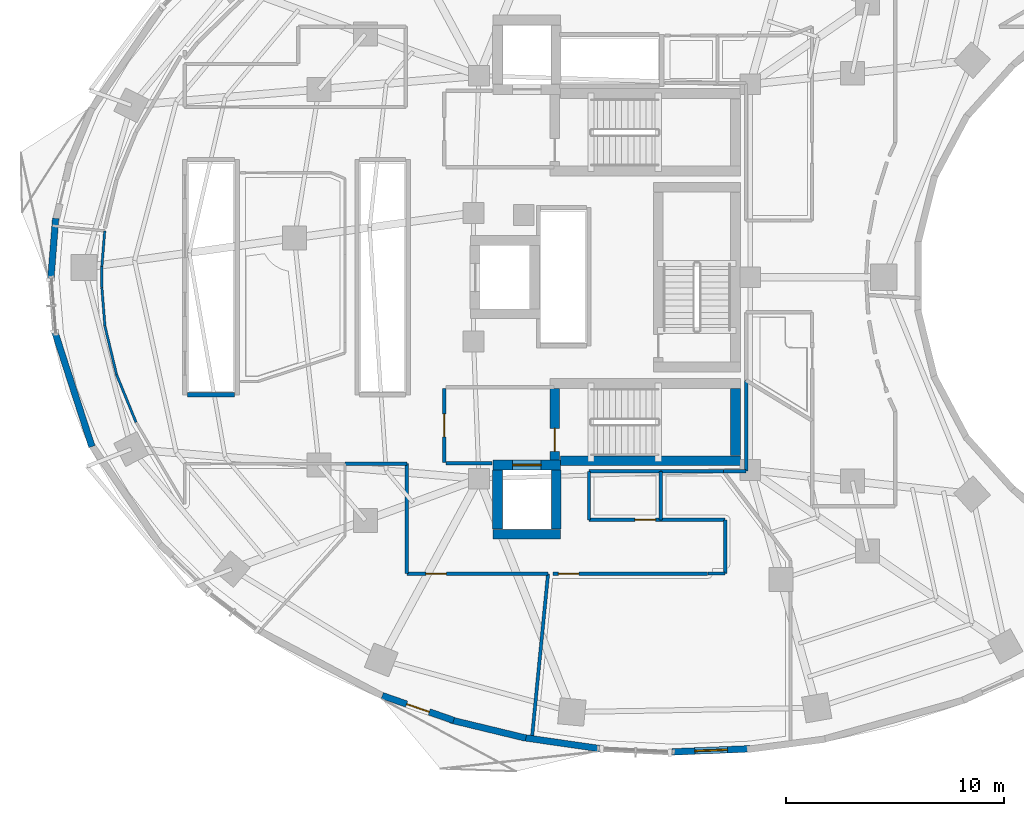
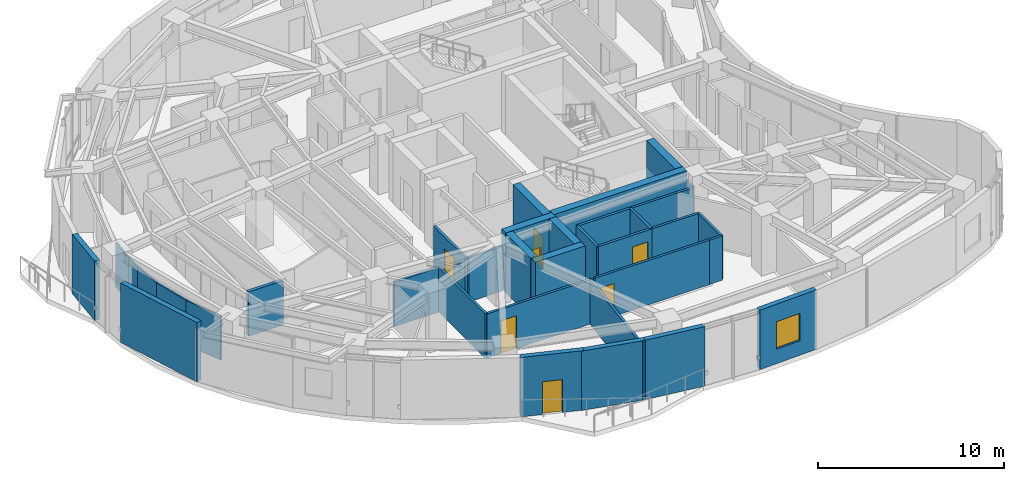
# One storey, part 8 of 15: 36 walls, 7 doors, 1 window, 8 openings.
"""IFC4 building model written with IfcOpenShell, lengths in metres."""

import ifcopenshell
import ifcopenshell.guid

model = None  # the IFC model being written
_history = None  # IfcOwnerHistory: only IFC2X3 demands one
_inside = {}  # id of a spatial element -> (the spatial element, [elements in it])
_under = {}  # id of a project, library or spatial element -> (it, [spatial elements below it])
_declared = {}  # id of a project -> (the project, [libraries it declares])
_typed = {}  # id of a type object -> (the type object, [elements of that type])
_made_of = {}  # id of a material, layer set ... -> (it, [elements and type objects made of it])


def new_model(schema):
    """Start an empty IFC model of exactly this schema.

    Asked for "IFC4X3", IfcOpenShell would pick the latest addendum, in which some entities
    have other attributes; the version numbers below select the first issue.
    IFC2X3 requires an IfcOwnerHistory on every rooted entity: one is made here for all.
    """
    global model, _history
    if schema == "IFC4X3":
        model = ifcopenshell.file(schema_version=(4, 3, 0, 0))
    else:
        model = ifcopenshell.file(schema=schema)
    _inside.clear()
    _under.clear()
    _declared.clear()
    _typed.clear()
    _made_of.clear()
    _history = None
    if model.schema == "IFC2X3":
        org = make("IfcOrganization", Name="unknown")
        user = make(
            "IfcPersonAndOrganization",
            ThePerson=make("IfcPerson", FamilyName="unknown"),
            TheOrganization=org,
        )
        app = make(
            "IfcApplication",
            ApplicationDeveloper=org,
            Version="unknown",
            ApplicationFullName="unknown",
            ApplicationIdentifier="unknown",
        )
        _history = make(
            "IfcOwnerHistory",
            OwningUser=user,
            OwningApplication=app,
            ChangeAction="ADDED",
            CreationDate=0,
        )
    return model


def make(cls, **values):
    """One entity of the class cls with the attributes given. An attribute that is None is left unset."""
    return model.create_entity(
        cls, **{name: value for name, value in values.items() if value is not None}
    )


def rooted(cls, **values):
    """An entity with a GlobalId (a new one), such as an element, a storey or a relation."""
    return make(cls, GlobalId=ifcopenshell.guid.new(), OwnerHistory=_history, **values)


def si_unit(unit_type, name, prefix=None):
    """IfcSIUnit, for example si_unit("LENGTHUNIT", "METRE", prefix="MILLI")."""
    return make("IfcSIUnit", UnitType=unit_type, Prefix=prefix, Name=name)


def assignment(units):
    """IfcUnitAssignment: the units of a project."""
    return None if units is None else make("IfcUnitAssignment", Units=units)


def point(xyz):
    """IfcCartesianPoint."""
    return None if xyz is None else make("IfcCartesianPoint", Coordinates=xyz)


def direction(xyz):
    """IfcDirection."""
    return None if xyz is None else make("IfcDirection", DirectionRatios=xyz)


def frame(location, z_axis=None, x_axis=None):
    """IfcAxis2Placement3D, a coordinate frame: its origin and axes. An axis left out is left unset."""
    return make(
        "IfcAxis2Placement3D",
        Location=point(location),
        Axis=direction(z_axis),
        RefDirection=direction(x_axis),
    )


def frame_2d(location, x_axis=None):
    """IfcAxis2Placement2D, a coordinate frame in the plane: its origin and x axis."""
    return make(
        "IfcAxis2Placement2D", Location=point(location), RefDirection=direction(x_axis)
    )


def origin():
    """The frame at (0, 0, 0) with its axes left unset."""
    return frame((0.0, 0.0, 0.0))


def place(relative_to, where):
    """IfcLocalPlacement: puts the frame where relative to a parent placement (None: the world)."""
    return make(
        "IfcLocalPlacement", PlacementRelTo=relative_to, RelativePlacement=where
    )


def context(
    kind, dimensions, precision=None, world=None, true_north=None, identifier=None
):
    """IfcGeometricRepresentationContext, for example the 3D "Model" context."""
    return make(
        "IfcGeometricRepresentationContext",
        ContextIdentifier=identifier,
        ContextType=kind,
        CoordinateSpaceDimension=dimensions,
        Precision=precision,
        WorldCoordinateSystem=world,
        TrueNorth=true_north,
    )


def subcontext(parent, identifier, kind, view, scale=None):
    """IfcGeometricRepresentationSubContext, for example "Body" below "Model"."""
    return make(
        "IfcGeometricRepresentationSubContext",
        ContextIdentifier=identifier,
        ContextType=kind,
        ParentContext=parent,
        TargetScale=scale,
        TargetView=view,
    )


def project(units=None, contexts=None):
    """IfcProject with its units and contexts."""
    return rooted(
        "IfcProject",
        Name="project",
        RepresentationContexts=contexts,
        UnitsInContext=assignment(units),
    )


def spatial(cls, under=None, at=None, **own):
    """A site, building, storey or space (cls), placed at a placement, below another one or the project."""
    s = rooted(cls, ObjectPlacement=at, **own)
    if under is not None:
        _under.setdefault(under.id(), (under, []))[1].append(s)
    return s


def profile(cls, at=None, kind="AREA", **sizes):
    """A parametric profile (cls). Its sizes go by their IFC names, for example OverallWidth=200.0."""
    return make(cls, ProfileType=kind, Position=at, **sizes)


def rectangle(**sizes):
    """IfcRectangleProfileDef."""
    return profile("IfcRectangleProfileDef", **sizes)


def extrude(swept, where, along, depth):
    """IfcExtrudedAreaSolid: the profile swept, set in the frame where, extruded along a direction by depth."""
    return make(
        "IfcExtrudedAreaSolid",
        SweptArea=swept,
        Position=where,
        ExtrudedDirection=direction(along),
        Depth=depth,
    )


def shape(context_of_items, identifier, shape_type, items):
    """IfcShapeRepresentation: the items that make up one representation, for example the "Body"."""
    return make(
        "IfcShapeRepresentation",
        ContextOfItems=context_of_items,
        RepresentationIdentifier=identifier,
        RepresentationType=shape_type,
        Items=items,
    )


def material(Name=None, Category=None):
    """IfcMaterial."""
    return make("IfcMaterial", Name=Name, Category=Category)


def layer(
    of_material, thickness, ventilated=None, Name=None, Category=None, Priority=None
):
    """IfcMaterialLayer: one layer of a wall or slab, of a material (None: an air gap)."""
    return make(
        "IfcMaterialLayer",
        Material=of_material,
        LayerThickness=thickness,
        IsVentilated=ventilated,
        Name=Name,
        Category=Category,
        Priority=Priority,
    )


def layer_set(layers, Name=None):
    """IfcMaterialLayerSet."""
    return make("IfcMaterialLayerSet", MaterialLayers=layers, LayerSetName=Name)


def made_of(thing, what):
    """Note that an element or type object is made of a material, layer set ...; save() writes the relation."""
    if what is not None:
        _made_of.setdefault(what.id(), (what, []))[1].append(thing)
    return thing


def type_object(cls, material=None, **own):
    """A type object (cls), such as IfcWallType, which elements share."""
    return made_of(rooted(cls, **own), material)


def element(
    cls,
    number,
    at=None,
    inside=None,
    cuts=None,
    type_object=None,
    material=None,
    context=None,
    identifier="Body",
    shape_type=None,
    held_by="IfcProductDefinitionShape",
    body=None,
    shapes=None,
    **own,
):
    """One element of the class cls, such as IfcWall. Its Tag is "e" and its number.

    at: its placement. inside: the storey or other place that contains it. cuts: it is an
    opening in that element (IfcRelVoidsElement). A single representation is given by context,
    identifier, shape_type and body (its items); several are given by shapes. held_by: the class
    of the entity that holds the representations. save() writes the other relations.
    """
    e = rooted(cls, Tag="e%d" % number, ObjectPlacement=at, **own)
    if body is not None:
        shapes = [shape(context, identifier, shape_type, body)]
    if shapes is not None:
        e.Representation = make(held_by, Representations=shapes)
    if inside is not None:
        _inside.setdefault(inside.id(), (inside, []))[1].append(e)
    if cuts is not None:
        rooted(
            "IfcRelVoidsElement", RelatingBuildingElement=cuts, RelatedOpeningElement=e
        )
    if type_object is not None:
        _typed.setdefault(type_object.id(), (type_object, []))[1].append(e)
    return made_of(e, material)


def fill(opening, filler):
    """IfcRelFillsElement: the door or window that sits in an opening."""
    return rooted(
        "IfcRelFillsElement",
        RelatingOpeningElement=opening,
        RelatedBuildingElement=filler,
    )


def aggregate(whole, parts):
    """IfcRelAggregates: a whole, such as a stair, and the parts it consists of."""
    return rooted("IfcRelAggregates", RelatingObject=whole, RelatedObjects=parts)


def save(model, path):
    """Write the relations noted so far, then the file.

    IfcRelAggregates (storeys below a building ...), IfcRelContainedInSpatialStructure (elements
    in a storey), IfcRelDefinesByType, IfcRelAssociatesMaterial and IfcRelDeclares: one each for
    every whole, place, type object, material and project.
    """
    for whole, parts in _under.values():
        aggregate(whole, parts)
    for where, things in _inside.values():
        rooted(
            "IfcRelContainedInSpatialStructure",
            RelatedElements=things,
            RelatingStructure=where,
        )
    for kind, things in _typed.values():
        rooted("IfcRelDefinesByType", RelatedObjects=things, RelatingType=kind)
    for what, things in _made_of.values():
        rooted("IfcRelAssociatesMaterial", RelatedObjects=things, RelatingMaterial=what)
    for by, libraries in _declared.values():
        rooted("IfcRelDeclares", RelatingContext=by, RelatedDefinitions=libraries)
    model.write(path)


model = new_model("IFC4")

# Units and contexts
model_context = context("Model", 3, precision=1e-05, world=origin(), true_north=direction((0.0, 1.0)))
body_context = subcontext(model_context, "Body", "Model", "MODEL_VIEW")
ifc_project = project(units=[si_unit("LENGTHUNIT", "METRE"), si_unit("AREAUNIT", "SQUARE_METRE"), si_unit("VOLUMEUNIT", "CUBIC_METRE"), si_unit("PLANEANGLEUNIT", "RADIAN"), si_unit("MASSUNIT", "GRAM", prefix="KILO")], contexts=[model_context])

# Site, building, storey
site_placement = place(None, origin())
site = spatial("IfcSite", under=ifc_project, at=site_placement, CompositionType="ELEMENT")
building_placement = place(site_placement, origin())
building = spatial("IfcBuilding", under=site, at=building_placement, Name="Korentha Bioscience Tower", CompositionType="ELEMENT")
storey_placement = place(building_placement, frame((0.0, 0.0, 94.199951171875)))
storey = spatial("IfcBuildingStorey", under=building, at=storey_placement, Name="L21", CompositionType="ELEMENT", Elevation=94.199951171875)

# Wall, opening, door
ifc_material_1 = material(Name="Double-Stud Acoustic Gypsum", Category="gypsum")
ifc_layer_1 = layer(ifc_material_1, 0.14990234375, Name="Double-Stud Acoustic Gypsum")
ifc_layer_set_1 = layer_set([ifc_layer_1], Name="Double-Stud Acoustic Gypsum (IW-L150)")
wall_type_1 = type_object("IfcWallType", Name="Acoustic Laboratory Partition Wall 150", PredefinedType="PARTITIONING", material=ifc_layer_set_1)
wall_1_placement = place(storey_placement, frame((21.800048828125, 13.389892578125, 0.0), z_axis=(0.0, 0.0, 1.0), x_axis=(1.0, 0.0, 0.0)))
wall_1 = element("IfcWall", 1, at=wall_1_placement, inside=storey, type_object=wall_type_1, Name="L21 Research Colloquium Seminar Room 02 Entrance Wall", PredefinedType="PARTITIONING", context=body_context, shape_type="SweptSolid", body=[
    extrude(rectangle(XDim=6.47119140625, YDim=0.14990234375, at=frame_2d((3.235595703125, 0.0))), origin(), (0.0, 0.0, 1.0), 2.91015625),
])
opening_1_placement = place(wall_1_placement, frame((0.85888671875, 0.0, 0.0)))
opening_1 = element("IfcOpeningElement", 2, at=opening_1_placement, cuts=wall_1, Name="Opening ID-10R", PredefinedType="OPENING", context=body_context, shape_type="SweptSolid", body=[
    extrude(rectangle(XDim=0.949951171875, YDim=2.14990234375, at=frame_2d((0.47509765625, 1.074951171875))), frame((0.0, 0.08984375, 0.0), z_axis=(0.0, -1.0, 0.0), x_axis=(1.0, 0.0, 0.0)), (0.0, 0.0, 1.0), 0.1796875),
])
ifc_material_2 = material(Name="Phenolic Laminate Timber Core", Category="wood")
door_type_1 = type_object("IfcDoorType", Name="Laboratory Single Leaf Door 950x2150 Right", OperationType="SINGLE_SWING_RIGHT", PredefinedType="DOOR", material=ifc_material_2)
door_1_placement = place(opening_1_placement, origin())
door_1 = element("IfcDoor", 3, at=door_1_placement, inside=storey, type_object=door_type_1, Name="L21 Research Colloquium Seminar Room 02 Door", OperationType="SINGLE_SWING_RIGHT", OverallHeight=2.14990234375, OverallWidth=0.949951171875, PredefinedType="DOOR", context=body_context, shape_type="SweptSolid", body=[
    extrude(rectangle(XDim=0.949951171875, YDim=2.14990234375, at=frame_2d((0.47509765625, 1.074951171875))), frame((0.0, 0.02490234375, 0.0), z_axis=(0.0, -1.0, 0.0), x_axis=(1.0, 0.0, 0.0)), (0.0, 0.0, 1.0), 0.050048828125),
])
fill(opening_1, door_1)

wall_2_placement = place(storey_placement, frame((28.5, 13.389892578125, 0.0), z_axis=(0.0, 0.0, 1.0), x_axis=(1.0, 0.0, 0.0)))
wall_2 = element("IfcWall", 4, at=wall_2_placement, inside=storey, type_object=wall_type_1, Name="L21 Staff Pantry Kitchenette 03 Entrance Wall", PredefinedType="PARTITIONING", context=body_context, shape_type="SweptSolid", body=[
    extrude(rectangle(XDim=7.10009765625, YDim=0.14990234375, at=frame_2d((3.550048828125, 0.0))), origin(), (0.0, 0.0, 1.0), 2.91015625),
])
opening_2_placement = place(wall_2_placement, frame((0.239990234375, 0.0, 0.0)))
opening_2 = element("IfcOpeningElement", 5, at=opening_2_placement, cuts=wall_2, Name="Opening ID-10L", PredefinedType="OPENING", context=body_context, shape_type="SweptSolid", body=[
    extrude(rectangle(XDim=0.949951171875, YDim=2.14990234375, at=frame_2d((0.47509765625, 1.074951171875))), frame((0.0, 0.08984375, 0.0), z_axis=(0.0, -1.0, 0.0), x_axis=(1.0, 0.0, 0.0)), (0.0, 0.0, 1.0), 0.1796875),
])
door_type_2 = type_object("IfcDoorType", Name="Laboratory Single Leaf Door 950x2150 Left", OperationType="SINGLE_SWING_LEFT", PredefinedType="DOOR", material=ifc_material_2)
door_2_placement = place(opening_2_placement, origin())
door_2 = element("IfcDoor", 6, at=door_2_placement, inside=storey, type_object=door_type_2, Name="L21 Staff Pantry Kitchenette 03 Door", OperationType="SINGLE_SWING_LEFT", OverallHeight=2.14990234375, OverallWidth=0.949951171875, PredefinedType="DOOR", context=body_context, shape_type="SweptSolid", body=[
    extrude(rectangle(XDim=0.949951171875, YDim=2.14990234375, at=frame_2d((0.47509765625, 1.074951171875))), frame((0.0, 0.02490234375, 0.0), z_axis=(0.0, -1.0, 0.0), x_axis=(1.0, 0.0, 0.0)), (0.0, 0.0, 1.0), 0.050048828125),
])
fill(opening_2, door_2)

# Walls
wall_3_placement = place(storey_placement, frame((18.9580078125, 18.43994140625, 0.0), z_axis=(0.0, 0.0, 1.0), x_axis=(1.0, 0.0, 0.0)))
element("IfcWall", 7, at=wall_3_placement, inside=storey, type_object=wall_type_1, Name="L21 Interior Partition 029", PredefinedType="PARTITIONING", context=body_context, shape_type="SweptSolid", body=[
    extrude(rectangle(XDim=2.83203125, YDim=0.14990234375, at=frame_2d((1.416015625, 0.0))), origin(), (0.0, 0.0, 1.0), 2.91015625),
])
wall_4_placement = place(storey_placement, frame((21.7900390625, 18.43994140625, 0.0), z_axis=(0.0, 0.0, 1.0), x_axis=(0.0, -1.0, 0.0)))
element("IfcWall", 8, at=wall_4_placement, inside=storey, type_object=wall_type_1, Name="L21 Interior Partition 030", PredefinedType="PARTITIONING", context=body_context, shape_type="SweptSolid", body=[
    extrude(rectangle(XDim=5.0400390625, YDim=0.14990234375, at=frame_2d((2.52001953125, 0.0))), origin(), (0.0, 0.0, 1.0), 2.91015625),
])
wall_5_placement = place(storey_placement, frame((28.271240234375, 13.389892578125, 0.0), z_axis=(0.0, 0.0, 1.0), x_axis=(-0.097584908723, -0.995227202999, 0.0)))
element("IfcWall", 9, at=wall_5_placement, inside=storey, type_object=wall_type_1, Name="L21 Interior Partition 031", PredefinedType="PARTITIONING", context=body_context, shape_type="SweptSolid", body=[
    extrude(rectangle(XDim=7.735595703125, YDim=0.14990234375, at=frame_2d((3.86767578125, 0.0))), origin(), (0.0, 0.0, 1.0), 2.91015625),
])
wall_6_placement = place(storey_placement, frame((35.610107421875, 13.39990234375, 0.0), z_axis=(0.0, 0.0, 1.0), x_axis=(1.0, 0.0, 0.0)))
element("IfcWall", 10, at=wall_6_placement, inside=storey, type_object=wall_type_1, Name="L21 Interior Partition 033", PredefinedType="PARTITIONING", context=body_context, shape_type="SweptSolid", body=[
    extrude(rectangle(XDim=0.789794921875, YDim=0.14990234375, at=frame_2d((0.39501953125, 0.0))), origin(), (0.0, 0.0, 1.0), 2.91015625),
])
wall_7_placement = place(storey_placement, frame((36.39990234375, 13.39990234375, 0.0), z_axis=(0.0, 0.0, 1.0), x_axis=(0.004085258855, 0.999991655295, 0.0)))
element("IfcWall", 11, at=wall_7_placement, inside=storey, type_object=wall_type_1, Name="L21 Interior Partition 034", PredefinedType="PARTITIONING", context=body_context, shape_type="SweptSolid", body=[
    extrude(rectangle(XDim=2.4501953125, YDim=0.14990234375, at=frame_2d((1.22509765625, 0.0))), origin(), (0.0, 0.0, 1.0), 2.91015625),
])
wall_8_placement = place(storey_placement, frame((36.39990234375, 15.860107421875, 0.0), z_axis=(0.0, 0.0, 1.0), x_axis=(-1.0, 0.0, 0.0)))
element("IfcWall", 12, at=wall_8_placement, inside=storey, type_object=wall_type_1, Name="L21 Interior Partition 035", PredefinedType="PARTITIONING", context=body_context, shape_type="SweptSolid", body=[
    extrude(rectangle(XDim=2.93994140625, YDim=0.14990234375, at=frame_2d((1.469970703125, 0.0))), origin(), (0.0, 0.0, 1.0), 2.91015625),
])
wall_9_placement = place(storey_placement, frame((33.4599609375, 18.090087890625, 0.0), z_axis=(0.0, 0.0, 1.0), x_axis=(1.0, 0.0, 0.0)))
element("IfcWall", 13, at=wall_9_placement, inside=storey, type_object=wall_type_1, Name="L21 Interior Partition 036", PredefinedType="PARTITIONING", context=body_context, shape_type="SweptSolid", body=[
    extrude(rectangle(XDim=2.859375, YDim=0.14990234375, at=frame_2d((1.4296875, 0.0))), origin(), (0.0, 0.0, 1.0), 2.91015625),
])
ifc_material_3 = material(Name="Fire-Rated Framed Glass", Category="glass")
ifc_layer_2 = layer(ifc_material_3, 0.110107421875, Name="Fire-Rated Framed Glass")
ifc_layer_set_2 = layer_set([ifc_layer_2], Name="Fire-Rated Framed Glass (IW-G110)")
wall_type_2 = type_object("IfcWallType", Name="Demountable Glazed Office Partition 110", PredefinedType="MOVABLE", material=ifc_layer_set_2)
wall_10_placement = place(storey_placement, frame((7.920166015625, 29.12451171875, 0.0), z_axis=(0.0, 0.0, 1.0), x_axis=(-0.079067162534, -0.996869291236, 0.0)))
element("IfcWall", 14, at=wall_10_placement, inside=storey, type_object=wall_type_2, Name="L21 Interior Partition 020", PredefinedType="MOVABLE", context=body_context, shape_type="SweptSolid", body=[
    extrude(rectangle(XDim=1.645751953125, YDim=0.110107421875, at=frame_2d((0.82275390625, 0.0))), origin(), (0.0, 0.0, 1.0), 2.91015625),
])
wall_11_placement = place(storey_placement, frame((7.7900390625, 27.48291015625, 0.0), z_axis=(0.0, 0.0, 1.0), x_axis=(0.0, -1.0, 0.0)))
element("IfcWall", 15, at=wall_11_placement, inside=storey, type_object=wall_type_2, Name="L21 Interior Partition 021", PredefinedType="MOVABLE", context=body_context, shape_type="SweptSolid", body=[
    extrude(rectangle(XDim=0.9658203125, YDim=0.110107421875, at=frame_2d((0.48291015625, 0.0))), origin(), (0.0, 0.0, 1.0), 2.91015625),
])
wall_12_placement = place(storey_placement, frame((7.7900390625, 26.51611328125, 0.0), z_axis=(0.0, 0.0, 1.0), x_axis=(0.079131522864, -0.996864184375, 0.0)))
element("IfcWall", 16, at=wall_12_placement, inside=storey, type_object=wall_type_2, Name="L21 Interior Partition 022", PredefinedType="MOVABLE", context=body_context, shape_type="SweptSolid", body=[
    extrude(rectangle(XDim=1.77099609375, YDim=0.110107421875, at=frame_2d((0.885498046875, 0.0))), origin(), (0.0, 0.0, 1.0), 2.91015625),
])
wall_13_placement = place(storey_placement, frame((7.930419921875, 24.749267578125, 0.0), z_axis=(0.0, 0.0, 1.0), x_axis=(0.233675196412, -0.972314713754, 0.0)))
element("IfcWall", 17, at=wall_13_placement, inside=storey, type_object=wall_type_2, Name="L21 Interior Partition 023", PredefinedType="MOVABLE", context=body_context, shape_type="SweptSolid", body=[
    extrude(rectangle(XDim=2.291259765625, YDim=0.110107421875, at=frame_2d((1.1455078125, 0.0))), origin(), (0.0, 0.0, 1.0), 2.91015625),
])
wall_14_placement = place(storey_placement, frame((8.46630859375, 22.520263671875, 0.0), z_axis=(0.0, 0.0, 1.0), x_axis=(0.378306283753, -0.925680482495, 0.0)))
element("IfcWall", 18, at=wall_14_placement, inside=storey, type_object=wall_type_2, Name="L21 Interior Partition 024", PredefinedType="MOVABLE", context=body_context, shape_type="SweptSolid", body=[
    extrude(rectangle(XDim=2.358154296875, YDim=0.110107421875, at=frame_2d((1.17919921875, 0.0))), origin(), (0.0, 0.0, 1.0), 2.91015625),
])

# Wall, opening, door
ifc_material_4 = material(Name="Gypsum-Clad Steel Stud", Category="steel")
ifc_layer_3 = layer(ifc_material_4, 0.159912109375, Name="Gypsum-Clad Steel Stud")
ifc_layer_set_3 = layer_set([ifc_layer_3], Name="Gypsum-Clad Steel Stud (IW-C160)")
wall_type_3 = type_object("IfcWallType", Name="Fire-Rated Corridor Partition Wall 160", PredefinedType="PARTITIONING", material=ifc_layer_set_3)
wall_15_placement = place(storey_placement, frame((23.5, 18.5, 0.0), z_axis=(0.0, 0.0, 1.0), x_axis=(0.0, 1.0, 0.0)))
wall_15 = element("IfcWall", 19, at=wall_15_placement, inside=storey, type_object=wall_type_3, Name="L21 FFLS-CW Rated Enclosure Wall", PredefinedType="PARTITIONING", context=body_context, shape_type="SweptSolid", body=[
    extrude(rectangle(XDim=3.39990234375, YDim=0.159912109375, at=frame_2d((1.699951171875, 0.0))), origin(), (0.0, 0.0, 1.0), 2.91015625),
])
opening_3_placement = place(wall_15_placement, frame((1.175048828125, 0.0, 0.0)))
opening_3 = element("IfcOpeningElement", 20, at=opening_3_placement, cuts=wall_15, Name="Opening FD-90L", PredefinedType="OPENING", context=body_context, shape_type="SweptSolid", body=[
    extrude(rectangle(XDim=1.050048828125, YDim=2.14990234375, at=frame_2d((0.52490234375, 1.074951171875))), frame((0.0, 0.0947265625, 0.0), z_axis=(0.0, -1.0, 0.0), x_axis=(1.0, 0.0, 0.0)), (0.0, 0.0, 1.0), 0.189697265625),
])
ifc_material_5 = material(Name="Powder-Coated Fire-Rated Steel", Category="steel")
door_type_3 = type_object("IfcDoorType", Name="Stairwell Fire Exit Door 1050x2150 Left", OperationType="SINGLE_SWING_LEFT", PredefinedType="DOOR", material=ifc_material_5)
door_3_placement = place(opening_3_placement, origin())
door_3 = element("IfcDoor", 21, at=door_3_placement, inside=storey, type_object=door_type_3, Name="L21 South Firefighting Lobby Door", OperationType="SINGLE_SWING_LEFT", OverallHeight=2.14990234375, OverallWidth=1.050048828125, PredefinedType="DOOR", context=body_context, shape_type="SweptSolid", body=[
    extrude(rectangle(XDim=1.050048828125, YDim=2.14990234375, at=frame_2d((0.52490234375, 1.074951171875))), frame((0.0, 0.02490234375, 0.0), z_axis=(0.0, -1.0, 0.0), x_axis=(1.0, 0.0, 0.0)), (0.0, 0.0, 1.0), 0.050048828125),
])
fill(opening_3, door_3)

# Wall
wall_16_placement = place(storey_placement, frame((23.580078125, 18.449951171875, 0.0), z_axis=(0.0, 0.0, 1.0), x_axis=(1.0, 0.0, 0.0)))
element("IfcWall", 22, at=wall_16_placement, inside=storey, type_object=wall_type_3, Name="L21 Firefighting Lobby Return Wall FFLS-S", PredefinedType="PARTITIONING", context=body_context, shape_type="SweptSolid", body=[
    extrude(rectangle(XDim=2.119873046875, YDim=0.159912109375, at=frame_2d((1.06005859375, 0.0))), origin(), (0.0, 0.0, 1.0), 2.91015625),
])

# Wall, opening, door
wall_17_placement = place(storey_placement, frame((33.449951171875, 15.860107421875, 0.0), z_axis=(0.0, 0.0, 1.0), x_axis=(-1.0, 0.0, 0.0)))
wall_17 = element("IfcWall", 23, at=wall_17_placement, inside=storey, type_object=wall_type_3, Name="L21 Core Instrumentation and Gas Store Entrance Wall", PredefinedType="PARTITIONING", context=body_context, shape_type="SweptSolid", body=[
    extrude(rectangle(XDim=3.300048828125, YDim=0.159912109375, at=frame_2d((1.64990234375, 0.0))), origin(), (0.0, 0.0, 1.0), 2.91015625),
])
opening_4_placement = place(wall_17_placement, frame((0.239990234375, 0.0, 0.0)))
opening_4 = element("IfcOpeningElement", 24, at=opening_4_placement, cuts=wall_17, Name="Opening ID-10L", PredefinedType="OPENING", context=body_context, shape_type="SweptSolid", body=[
    extrude(rectangle(XDim=0.949951171875, YDim=2.14990234375, at=frame_2d((0.47509765625, 1.074951171875))), frame((0.0, 0.0947265625, 0.0), z_axis=(0.0, -1.0, 0.0), x_axis=(1.0, 0.0, 0.0)), (0.0, 0.0, 1.0), 0.189697265625),
])
door_4_placement = place(opening_4_placement, origin())
door_4 = element("IfcDoor", 25, at=door_4_placement, inside=storey, type_object=door_type_2, Name="L21 Core Instrumentation and Gas Store Door", OperationType="SINGLE_SWING_LEFT", OverallHeight=2.14990234375, OverallWidth=0.949951171875, PredefinedType="DOOR", context=body_context, shape_type="SweptSolid", body=[
    extrude(rectangle(XDim=0.949951171875, YDim=2.14990234375, at=frame_2d((0.47509765625, 1.074951171875))), frame((0.0, 0.02490234375, 0.0), z_axis=(0.0, -1.0, 0.0), x_axis=(1.0, 0.0, 0.0)), (0.0, 0.0, 1.0), 0.050048828125),
])
fill(opening_4, door_4)

# Walls
wall_18_placement = place(storey_placement, frame((30.14990234375, 15.860107421875, 0.0), z_axis=(0.0, 0.0, 1.0), x_axis=(0.0, 1.0, 0.0)))
element("IfcWall", 26, at=wall_18_placement, inside=storey, type_object=wall_type_3, Name="L21 Interior Partition 014", PredefinedType="PARTITIONING", context=body_context, shape_type="SweptSolid", body=[
    extrude(rectangle(XDim=2.22998046875, YDim=0.159912109375, at=frame_2d((1.114990234375, 0.0))), origin(), (0.0, 0.0, 1.0), 2.91015625),
])
wall_19_placement = place(storey_placement, frame((30.14990234375, 18.090087890625, 0.0), z_axis=(0.0, 0.0, 1.0), x_axis=(1.0, 0.0, 0.0)))
element("IfcWall", 27, at=wall_19_placement, inside=storey, type_object=wall_type_3, Name="L21 Interior Partition 015", PredefinedType="PARTITIONING", context=body_context, shape_type="SweptSolid", body=[
    extrude(rectangle(XDim=3.300048828125, YDim=0.159912109375, at=frame_2d((1.64990234375, 0.0))), origin(), (0.0, 0.0, 1.0), 2.91015625),
])
wall_20_placement = place(storey_placement, frame((33.449951171875, 18.090087890625, 0.0), z_axis=(0.0, 0.0, 1.0), x_axis=(0.0, -1.0, 0.0)))
element("IfcWall", 28, at=wall_20_placement, inside=storey, type_object=wall_type_3, Name="L21 Interior Partition 016", PredefinedType="PARTITIONING", context=body_context, shape_type="SweptSolid", body=[
    extrude(rectangle(XDim=2.22998046875, YDim=0.159912109375, at=frame_2d((1.114990234375, 0.0))), origin(), (0.0, 0.0, 1.0), 2.91015625),
])
wall_21_placement = place(storey_placement, frame((36.331787109375, 18.090087890625, 0.0), z_axis=(0.0, 0.0, 1.0), x_axis=(1.0, 0.0, 0.0)))
element("IfcWall", 29, at=wall_21_placement, inside=storey, type_object=wall_type_3, Name="L21 Interior Partition 047", PredefinedType="PARTITIONING", context=body_context, shape_type="SweptSolid", body=[
    extrude(rectangle(XDim=1.018310546875, YDim=0.159912109375, at=frame_2d((0.50927734375, 0.0))), origin(), (0.0, 0.0, 1.0), 2.91015625),
])
wall_22_placement = place(storey_placement, frame((37.360107421875, 18.10009765625, 0.0), z_axis=(0.0, 0.0, 1.0), x_axis=(0.0, 1.0, 0.0)))
element("IfcWall", 30, at=wall_22_placement, inside=storey, type_object=wall_type_3, Name="L21 Interior Partition 048", PredefinedType="PARTITIONING", context=body_context, shape_type="SweptSolid", body=[
    extrude(rectangle(XDim=4.16552734375, YDim=0.159912109375, at=frame_2d((2.082763671875, 0.0))), origin(), (0.0, 0.0, 1.0), 2.91015625),
])

# Wall, opening, door
ifc_material_6 = material(Name="Honed Limestone Precast Concrete C40", Category="masonry")
ifc_layer_4 = layer(ifc_material_6, 0.300048828125, Name="Honed Limestone Precast Concrete C40")
ifc_layer_set_4 = layer_set([ifc_layer_4], Name="Honed Limestone Precast Concrete C40 (EW-ST300)")
wall_type_4 = type_object("IfcWallType", Name="Honed Limestone Cavity Spandrel Wall 300", PredefinedType="STANDARD", material=ifc_layer_set_4)
wall_23_placement = place(storey_placement, frame((20.662109375, 7.7919921875, 0.0), z_axis=(0.0, 0.0, 1.0), x_axis=(0.944878029854, -0.3274225232, 0.0)))
wall_23 = element("IfcWall", 31, at=wall_23_placement, inside=storey, type_object=wall_type_4, Name="L21 Balcony Threshold Wall 03", PredefinedType="STANDARD", context=body_context, shape_type="SweptSolid", body=[
    extrude(rectangle(XDim=3.46728515625, YDim=0.300048828125, at=frame_2d((1.733642578125, 0.0))), origin(), (0.0, 0.0, 1.0), 3.900146484375),
])
opening_5_placement = place(wall_23_placement, frame((1.18359375, 0.0, 0.0)))
opening_5 = element("IfcOpeningElement", 32, at=opening_5_placement, cuts=wall_23, Name="Opening BD-11L", PredefinedType="OPENING", context=body_context, shape_type="SweptSolid", body=[
    extrude(rectangle(XDim=1.10009765625, YDim=2.14990234375, at=frame_2d((0.550048828125, 1.074951171875))), frame((0.0, 0.1650390625, 0.0), z_axis=(0.0, -1.0, 0.0), x_axis=(1.0, 0.0, 0.0)), (0.0, 0.0, 1.0), 0.329833984375),
])
ifc_material_7 = material(Name="Thermally Broken Glazed Aluminium", Category="aluminium")
door_type_4 = type_object("IfcDoorType", Name="Balcony Terrace Glazed Door 1100x2150 Left", OperationType="SINGLE_SWING_LEFT", PredefinedType="DOOR", material=ifc_material_7)
door_5_placement = place(opening_5_placement, origin())
door_5 = element("IfcDoor", 33, at=door_5_placement, inside=storey, type_object=door_type_4, Name="L21 Balcony Access Door 03", OperationType="SINGLE_SWING_LEFT", OverallHeight=2.14990234375, OverallWidth=1.10009765625, PredefinedType="DOOR", context=body_context, shape_type="SweptSolid", body=[
    extrude(rectangle(XDim=1.10009765625, YDim=2.14990234375, at=frame_2d((0.550048828125, 1.074951171875))), frame((0.0, 0.02490234375, 0.0), z_axis=(0.0, -1.0, 0.0), x_axis=(1.0, 0.0, 0.0)), (0.0, 0.0, 1.0), 0.050048828125),
])
fill(opening_5, door_5)

# Wall, opening, window
wall_24_placement = place(storey_placement, frame((33.961181640625, 5.210205078125, 0.0), z_axis=(0.0, 0.0, 1.0), x_axis=(0.999210691503, 0.039723972445, 0.0)))
wall_24 = element("IfcWall", 34, at=wall_24_placement, inside=storey, type_object=wall_type_4, Name="L21 Honed Limestone Spandrel Wall 32", PredefinedType="STANDARD", context=body_context, shape_type="SweptSolid", body=[
    extrude(rectangle(XDim=3.595458984375, YDim=0.300048828125, at=frame_2d((1.7978515625, 0.0))), origin(), (0.0, 0.0, 1.0), 3.900146484375),
])
opening_6_placement = place(wall_24_placement, frame((1.047607421875, 0.0, 0.949951171875)))
opening_6 = element("IfcOpeningElement", 35, at=opening_6_placement, cuts=wall_24, Name="Opening WN-02", PredefinedType="OPENING", context=body_context, shape_type="SweptSolid", body=[
    extrude(rectangle(XDim=1.5, YDim=1.800048828125, at=frame_2d((0.75, 0.89990234375))), frame((0.0, 0.1650390625, 0.0), z_axis=(0.0, -1.0, 0.0), x_axis=(1.0, 0.0, 0.0)), (0.0, 0.0, 1.0), 0.329833984375),
])
ifc_material_8 = material(Name="Thermally Broken Aluminium Triple Glazing", Category="aluminium")
window_type = type_object("IfcWindowType", Name="Acoustic Operable Office Window 1500x1800", PartitioningType="DOUBLE_PANEL_VERTICAL", PredefinedType="WINDOW", material=ifc_material_8)
window_placement = place(opening_6_placement, origin())
window = element("IfcWindow", 36, at=window_placement, inside=storey, type_object=window_type, Name="L21 Facade Window 32", OverallHeight=1.800048828125, OverallWidth=1.5, PartitioningType="DOUBLE_PANEL_VERTICAL", PredefinedType="WINDOW", context=body_context, shape_type="SweptSolid", body=[
    extrude(rectangle(XDim=1.5, YDim=1.800048828125, at=frame_2d((0.75, 0.89990234375))), frame((0.0, 0.030029296875, 0.0), z_axis=(0.0, -1.0, 0.0), x_axis=(1.0, 0.0, 0.0)), (0.0, 0.0, 1.0), 0.06005859375),
])
fill(opening_6, window)

# Walls
wall_25_placement = place(storey_placement, frame((5.668701171875, 29.701171875, 0.0), z_axis=(0.0, 0.0, 1.0), x_axis=(-0.079062676622, -0.996869647028, 0.0)))
element("IfcWall", 37, at=wall_25_placement, inside=storey, type_object=wall_type_4, Name="L21 Limestone Perimeter Closure Wall 18", PredefinedType="STANDARD", context=body_context, shape_type="SweptSolid", body=[
    extrude(rectangle(XDim=2.80078125, YDim=0.300048828125, at=frame_2d((1.400390625, 0.0))), origin(), (0.0, 0.0, 1.0), 3.900146484375),
])
wall_26_placement = place(storey_placement, frame((5.631591796875, 24.48681640625, 0.0), z_axis=(0.0, 0.0, 1.0), x_axis=(0.307599470659, -0.951515930319, 0.0)))
element("IfcWall", 38, at=wall_26_placement, inside=storey, type_object=wall_type_4, Name="L21 Limestone Perimeter Closure Wall 20", PredefinedType="STANDARD", context=body_context, shape_type="SweptSolid", body=[
    extrude(rectangle(XDim=5.534423828125, YDim=0.300048828125, at=frame_2d((2.76708984375, 0.0))), origin(), (0.0, 0.0, 1.0), 3.900146484375),
])
wall_27_placement = place(storey_placement, frame((23.7841796875, 6.679931640625, 0.0), z_axis=(0.0, 0.0, 1.0), x_axis=(0.972043452321, -0.234801036625, 0.0)))
element("IfcWall", 39, at=wall_27_placement, inside=storey, type_object=wall_type_4, Name="L21 Limestone Perimeter Closure Wall 29", PredefinedType="STANDARD", context=body_context, shape_type="SweptSolid", body=[
    extrude(rectangle(XDim=3.568603515625, YDim=0.300048828125, at=frame_2d((1.7841796875, 0.0))), origin(), (0.0, 0.0, 1.0), 3.900146484375),
])
wall_28_placement = place(storey_placement, frame((27.083251953125, 5.874755859375, 0.0), z_axis=(0.0, 0.0, 1.0), x_axis=(0.989734732902, -0.142916613754, 0.0)))
element("IfcWall", 40, at=wall_28_placement, inside=storey, type_object=wall_type_4, Name="L21 Limestone Perimeter Closure Wall 30", PredefinedType="STANDARD", context=body_context, shape_type="SweptSolid", body=[
    extrude(rectangle(XDim=3.611328125, YDim=0.300048828125, at=frame_2d((1.8056640625, 0.0))), origin(), (0.0, 0.0, 1.0), 3.900146484375),
])
ifc_material_9 = material(Name="Autoclaved Aerated Concrete Block C25", Category="concrete")
ifc_layer_5 = layer(ifc_material_9, 0.199951171875, Name="Autoclaved Aerated Concrete Block C25")
ifc_layer_set_5 = layer_set([ifc_layer_5], Name="Autoclaved Aerated Concrete Block C25 (IW-S200)")
wall_type_5 = type_object("IfcWallType", Name="Lift and Riser Shaft Enclosure Wall 200", PredefinedType="PARTITIONING", material=ifc_layer_set_5)
wall_29_placement = place(storey_placement, frame((11.719970703125, 21.60009765625, 0.0), z_axis=(0.0, 0.0, 1.0), x_axis=(1.0, 0.0, 0.0)))
element("IfcWall", 41, at=wall_29_placement, inside=storey, type_object=wall_type_5, Name="L21 Lift Bank LOW Shaft Wall -Y", PredefinedType="PARTITIONING", context=body_context, shape_type="SweptSolid", body=[
    extrude(rectangle(XDim=2.159912109375, YDim=0.199951171875, at=frame_2d((1.080078125, 0.0))), origin(), (0.0, 0.0, 1.0), 2.91015625),
])
ifc_material_10 = material(Name="Concrete C80", Category="concrete")
ifc_layer_6 = layer(ifc_material_10, 0.449951171875, Name="Concrete C80")
ifc_layer_set_6 = layer_set([ifc_layer_6], Name="Concrete C80 (CW-C80)")
wall_type_6 = type_object("IfcWallType", Name="Lower Core Shear Wall 450", PredefinedType="SHEAR", material=ifc_layer_set_6)
wall_30_placement = place(storey_placement, frame((28.85205078125, 18.574951171875, 0.0), z_axis=(0.0, 0.0, 1.0), x_axis=(1.0, 0.0, 0.0)))
element("IfcWall", 42, at=wall_30_placement, inside=storey, type_object=wall_type_6, Name="L21 Core Shear Wall ST2-S", PredefinedType="SHEAR", context=body_context, shape_type="SweptSolid", body=[
    extrude(rectangle(XDim=8.248046875, YDim=0.449951171875, at=frame_2d((4.1240234375, 0.0))), origin(), (0.0, 0.0, 1.0), 3.900146484375),
])
wall_31_placement = place(storey_placement, frame((36.875, 18.81005859375, 0.0), z_axis=(0.0, 0.0, 1.0), x_axis=(0.0, 1.0, 0.0)))
element("IfcWall", 43, at=wall_31_placement, inside=storey, type_object=wall_type_6, Name="L21 Core Shear Wall ST2-E", PredefinedType="SHEAR", context=body_context, shape_type="SweptSolid", body=[
    extrude(rectangle(XDim=3.079833984375, YDim=0.449951171875, at=frame_2d((1.5400390625, 0.0))), origin(), (0.0, 0.0, 1.0), 3.900146484375),
])

# Wall, opening, door
wall_32_placement = place(storey_placement, frame((28.574951171875, 18.60693359375, 0.0), z_axis=(0.0, 0.0, 1.0), x_axis=(0.0, 1.0, 0.0)))
wall_32 = element("IfcWall", 44, at=wall_32_placement, inside=storey, type_object=wall_type_6, Name="L21 Core Shear Wall ST2-W", PredefinedType="SHEAR", context=body_context, shape_type="SweptSolid", body=[
    extrude(rectangle(XDim=3.282958984375, YDim=0.449951171875, at=frame_2d((1.6416015625, 0.0))), origin(), (0.0, 0.0, 1.0), 3.900146484375),
])
opening_7_placement = place(wall_32_placement, frame((0.403076171875, 0.0, 0.0)))
opening_7 = element("IfcOpeningElement", 45, at=opening_7_placement, cuts=wall_32, Name="Opening FD-90L", PredefinedType="OPENING", context=body_context, shape_type="SweptSolid", body=[
    extrude(rectangle(XDim=1.050048828125, YDim=2.14990234375, at=frame_2d((0.52490234375, 1.074951171875))), frame((0.0, 0.23974609375, 0.0), z_axis=(0.0, -1.0, 0.0), x_axis=(1.0, 0.0, 0.0)), (0.0, 0.0, 1.0), 0.479736328125),
])
door_6_placement = place(opening_7_placement, origin())
door_6 = element("IfcDoor", 46, at=door_6_placement, inside=storey, type_object=door_type_3, Name="L21 ST-2 Fire Exit Stair Door", OperationType="SINGLE_SWING_LEFT", OverallHeight=2.14990234375, OverallWidth=1.050048828125, PredefinedType="DOOR", context=body_context, shape_type="SweptSolid", body=[
    extrude(rectangle(XDim=1.050048828125, YDim=2.14990234375, at=frame_2d((0.52490234375, 1.074951171875))), frame((0.0, 0.02490234375, 0.0), z_axis=(0.0, -1.0, 0.0), x_axis=(1.0, 0.0, 0.0)), (0.0, 0.0, 1.0), 0.050048828125),
])
fill(opening_7, door_6)

# Wall
wall_33_placement = place(storey_placement, frame((25.75, 15.199951171875, 0.0), z_axis=(0.0, 0.0, 1.0), x_axis=(1.0, 0.0, 0.0)))
element("IfcWall", 47, at=wall_33_placement, inside=storey, type_object=wall_type_6, Name="L21 Core Shear Wall FFL1-S", PredefinedType="SHEAR", context=body_context, shape_type="SweptSolid", body=[
    extrude(rectangle(XDim=3.10009765625, YDim=0.449951171875, at=frame_2d((1.550048828125, 0.0))), origin(), (0.0, 0.0, 1.0), 3.900146484375),
])

# Wall, opening, door
wall_34_placement = place(storey_placement, frame((25.75, 18.3798828125, 0.0), z_axis=(0.0, 0.0, 1.0), x_axis=(1.0, 0.0, 0.0)))
wall_34 = element("IfcWall", 48, at=wall_34_placement, inside=storey, type_object=wall_type_6, Name="L21 Core Shear Wall FFL1-N", PredefinedType="SHEAR", context=body_context, shape_type="SweptSolid", body=[
    extrude(rectangle(XDim=3.10009765625, YDim=0.449951171875, at=frame_2d((1.550048828125, 0.0))), origin(), (0.0, 0.0, 1.0), 3.900146484375),
])
opening_8_placement = place(wall_34_placement, frame((0.89990234375, 0.0, 0.0)))
opening_8 = element("IfcOpeningElement", 49, at=opening_8_placement, cuts=wall_34, Name="Opening LD-13", PredefinedType="OPENING", context=body_context, shape_type="SweptSolid", body=[
    extrude(rectangle(XDim=1.300048828125, YDim=2.199951171875, at=frame_2d((0.64990234375, 1.10009765625))), frame((0.0, 0.23974609375, 0.0), z_axis=(0.0, -1.0, 0.0), x_axis=(1.0, 0.0, 0.0)), (0.0, 0.0, 1.0), 0.479736328125),
])
ifc_material_11 = material(Name="Brushed Stainless Steel 316", Category="steel")
door_type_5 = type_object("IfcDoorType", Name="Service & Firefighting Lift Landing Door 1300x2300", OperationType="DOUBLE_DOOR_SLIDING", PredefinedType="DOOR", material=ifc_material_11)
door_7_placement = place(opening_8_placement, origin())
door_7 = element("IfcDoor", 50, at=door_7_placement, inside=storey, type_object=door_type_5, Name="L21 FFL-1 Sliding Lift Landing Door", OperationType="DOUBLE_DOOR_SLIDING", OverallHeight=2.199951171875, OverallWidth=1.300048828125, PredefinedType="DOOR", context=body_context, shape_type="SweptSolid", body=[
    extrude(rectangle(XDim=1.300048828125, YDim=2.199951171875, at=frame_2d((0.64990234375, 1.10009765625))), frame((0.0, 0.02490234375, 0.0), z_axis=(0.0, -1.0, 0.0), x_axis=(1.0, 0.0, 0.0)), (0.0, 0.0, 1.0), 0.050048828125),
])
fill(opening_8, door_7)

# Walls
for number, where, z_axis, x_axis, name in (
    (51, (25.949951171875, 15.43994140625, 0.0), (0.0, 0.0, 1.0), (0.0, 1.0, 0.0), "L21 Core Shear Wall FFL1-W"),
    (52, (28.64990234375, 15.43994140625, 0.0), (0.0, 0.0, 1.0), (0.0, 1.0, 0.0), "L21 Core Shear Wall FFL1-E"),
):
    element("IfcWall", number, at=place(storey_placement, frame(where, z_axis=z_axis, x_axis=x_axis)), inside=storey, type_object=wall_type_6, Name=name, PredefinedType="SHEAR", context=body_context, shape_type="SweptSolid", body=[
        extrude(rectangle(XDim=2.699951171875, YDim=0.449951171875, at=frame_2d((1.35009765625, 0.0))), origin(), (0.0, 0.0, 1.0), 3.900146484375),
    ])

save(model, "model.ifc")
